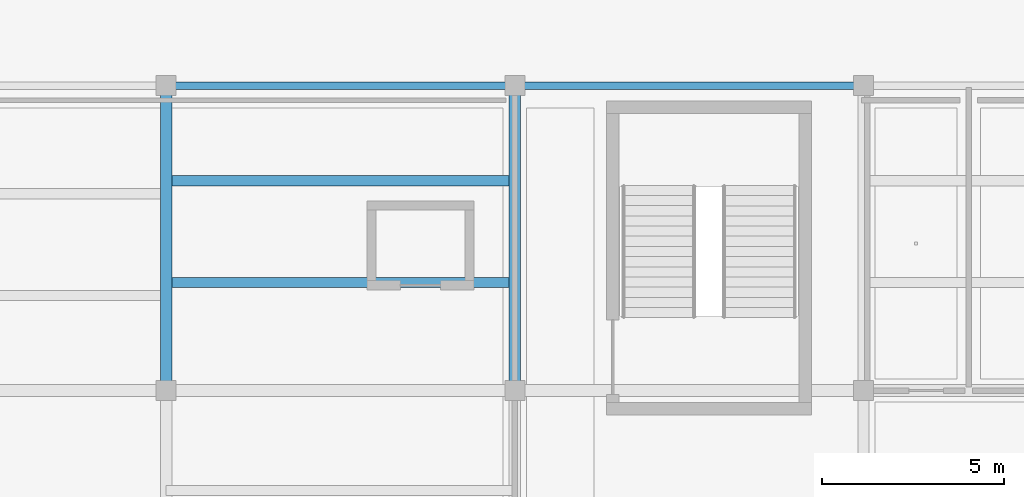
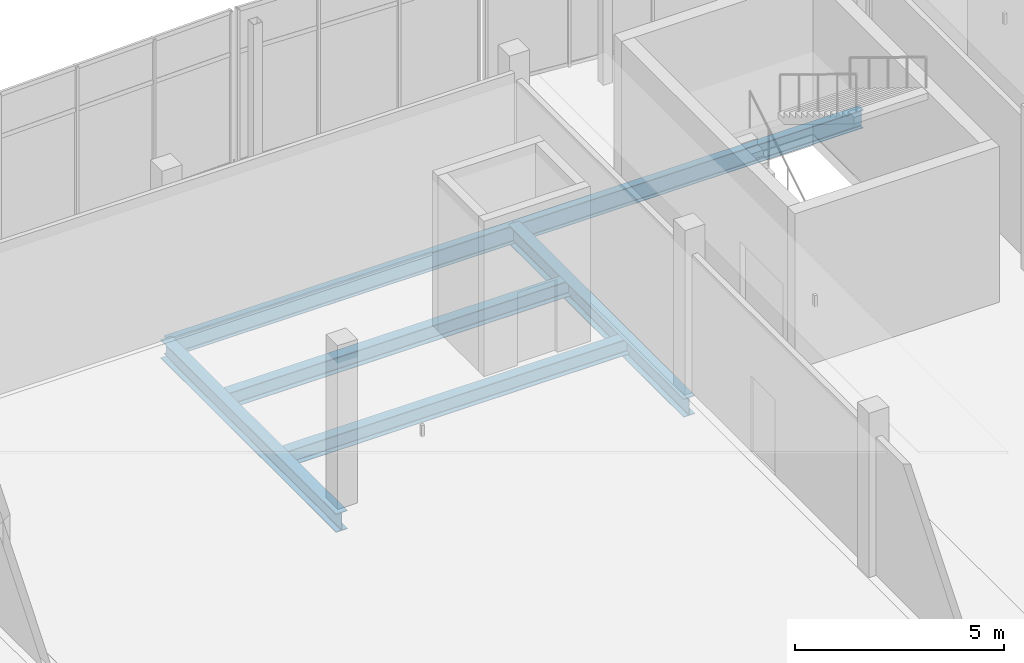
# One storey, part 95 of 157: 6 beams.
"""IFC4 building model written with IfcOpenShell, lengths in metres."""

from ifc_helpers import new_model, si_unit, direction, frame, origin, origin_2d, place, context, subcontext, project, spatial, i_section, extrude, material, material_profile, profile_set, type_object, element, save


model = new_model("IFC4")

# Units and contexts
model_context = context("Model", 3, precision=1e-05, world=origin(), true_north=direction((0.0, 1.0)))
body_context = subcontext(model_context, "Body", "Model", "MODEL_VIEW")
ifc_project = project(units=[si_unit("LENGTHUNIT", "METRE"), si_unit("AREAUNIT", "SQUARE_METRE"), si_unit("VOLUMEUNIT", "CUBIC_METRE"), si_unit("PLANEANGLEUNIT", "RADIAN"), si_unit("MASSUNIT", "GRAM", prefix="KILO")], contexts=[model_context])

# Site, building, storey
site_placement = place(None, origin())
site = spatial("IfcSite", under=ifc_project, at=site_placement, CompositionType="ELEMENT")
building_placement = place(site_placement, origin())
building = spatial("IfcBuilding", under=site, at=building_placement, Name="Chalmorin Arch Market", CompositionType="ELEMENT")
storey_placement = place(building_placement, frame((0.0, 0.0, 4.800048828125)))
storey = spatial("IfcBuildingStorey", under=building, at=storey_placement, Name="L01", CompositionType="ELEMENT", Elevation=4.800048828125)

# Beams
ifc_material = material(Name="Steel A992 Grade 50", Category="steel")
ifc_material_profile_1 = material_profile(ifc_material, i_section(OverallWidth=0.31201171875, OverallDepth=0.54296875, WebThickness=0.0126953125, FlangeThickness=0.020263671875, FilletRadius=0.02197265625, at=origin_2d()), Name="W21X101")
ifc_profile_set_1 = profile_set([ifc_material_profile_1], Name="Steel A992 Grade 50")
beam_type_1 = type_object("IfcBeamType", Name="KitchenSteelGirder-W21X101", PredefinedType="BEAM", material=ifc_profile_set_1)
for number, where, z_axis, x_axis, name in (
    (1, (76.800048828125, 109.60009765625, -0.593505859375), (0.0, 1.0, 0.0), (-1.0, 0.0, 0.0), "BG-W21C-0915"),
    (2, (86.39990234375, 109.60009765625, -0.593505859375), (0.0, 1.0, 0.0), (-1.0, 0.0, 0.0), "BG-W21C-0926"),
):
    element("IfcBeam", number, at=place(storey_placement, frame(where, z_axis=z_axis, x_axis=x_axis)), inside=storey, type_object=beam_type_1, Name=name, PredefinedType="BEAM", context=body_context, shape_type="SweptSolid", body=[
        extrude(i_section(OverallWidth=0.31201171875, OverallDepth=0.54296875, WebThickness=0.0126953125, FlangeThickness=0.020263671875, FilletRadius=0.02197265625, at=origin_2d()), origin(), (0.0, 0.0, 1.0), 8.39990234375),
    ])
ifc_material_profile_2 = material_profile(ifc_material, i_section(OverallWidth=0.208984375, OverallDepth=0.532958984375, WebThickness=0.01025390625, FlangeThickness=0.015625, FilletRadius=0.02197265625, at=origin_2d()), Name="W21X62")
ifc_profile_set_2 = profile_set([ifc_material_profile_2], Name="Steel A992 Grade 50")
beam_type_2 = type_object("IfcBeamType", Name="PerimeterSpandrelBeam-W21X62", PredefinedType="SPANDREL", material=ifc_profile_set_2)
beam_1_placement = place(storey_placement, frame((76.800048828125, 118.0, -0.588623046875), z_axis=(1.0, 0.0, 0.0), x_axis=(0.0, 1.0, 0.0)))
element("IfcBeam", 3, at=beam_1_placement, inside=storey, type_object=beam_type_2, Name="SP-W21-0925", PredefinedType="SPANDREL", context=body_context, shape_type="SweptSolid", body=[
    extrude(i_section(OverallWidth=0.208984375, OverallDepth=0.532958984375, WebThickness=0.01025390625, FlangeThickness=0.015625, FilletRadius=0.02197265625, at=origin_2d()), origin(), (0.0, 0.0, 1.0), 9.599853515625),
])
beam_2_placement = place(storey_placement, frame((86.39990234375, 118.0, -0.588623046875), z_axis=(1.0, 0.0, 0.0), x_axis=(0.0, 1.0, 0.0)))
element("IfcBeam", 4, at=beam_2_placement, inside=storey, type_object=beam_type_2, Name="SP-W21-0936", PredefinedType="SPANDREL", context=body_context, shape_type="SweptSolid", body=[
    extrude(i_section(OverallWidth=0.208984375, OverallDepth=0.532958984375, WebThickness=0.01025390625, FlangeThickness=0.015625, FilletRadius=0.02197265625, at=origin_2d()), origin(), (0.0, 0.0, 1.0), 9.60009765625),
])
ifc_material_profile_3 = material_profile(ifc_material, i_section(OverallWidth=0.280029296875, OverallDepth=0.462890625, WebThickness=0.0107421875, FlangeThickness=0.017333984375, FilletRadius=0.02001953125, at=origin_2d()), Name="W18X76")
ifc_profile_set_3 = profile_set([ifc_material_profile_3], Name="Steel A992 Grade 50")
beam_type_3 = type_object("IfcBeamType", Name="WorkshopSteelBeam-W18X76", PredefinedType="BEAM", material=ifc_profile_set_3)
for number, where, z_axis, x_axis, name in (
    (5, (76.800048828125, 112.580078125, -0.553466796875), (1.0, 0.0, 0.0), (0.0, 1.0, 0.0), "BM-W18C-0994"),
    (6, (76.800048828125, 115.3798828125, -0.553466796875), (1.0, 0.0, 0.0), (0.0, 1.0, 0.0), "BM-W18C-0995"),
):
    element("IfcBeam", number, at=place(storey_placement, frame(where, z_axis=z_axis, x_axis=x_axis)), inside=storey, type_object=beam_type_3, Name=name, PredefinedType="BEAM", context=body_context, shape_type="SweptSolid", body=[
        extrude(i_section(OverallWidth=0.280029296875, OverallDepth=0.462890625, WebThickness=0.0107421875, FlangeThickness=0.017333984375, FilletRadius=0.02001953125, at=origin_2d()), origin(), (0.0, 0.0, 1.0), 9.599853515625),
    ])

save(model, "model.ifc")
